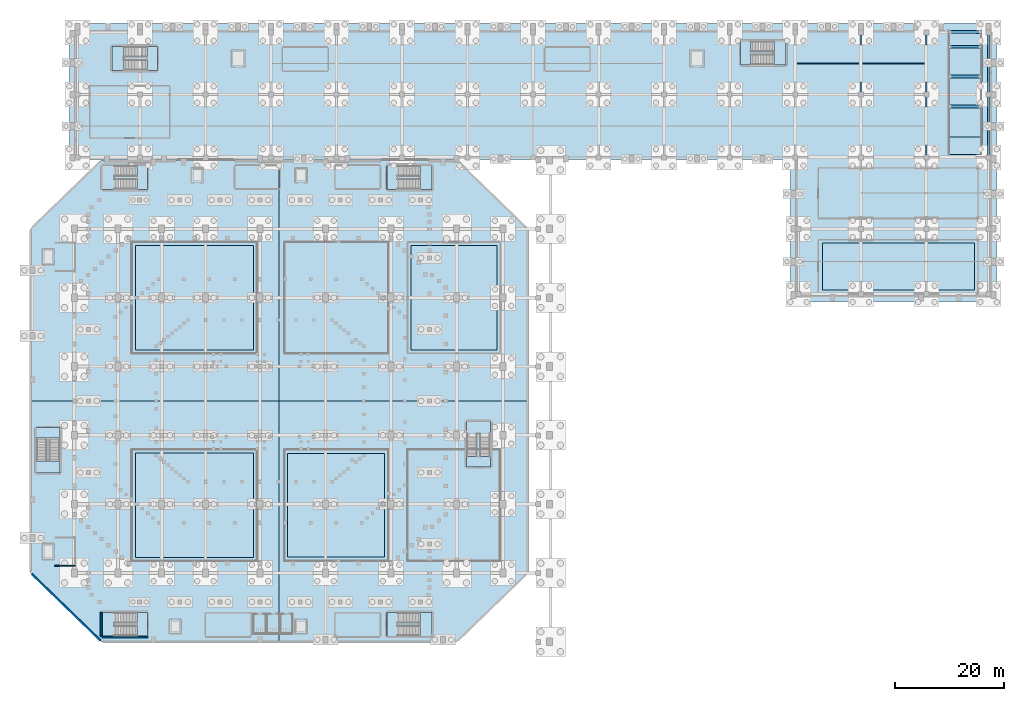
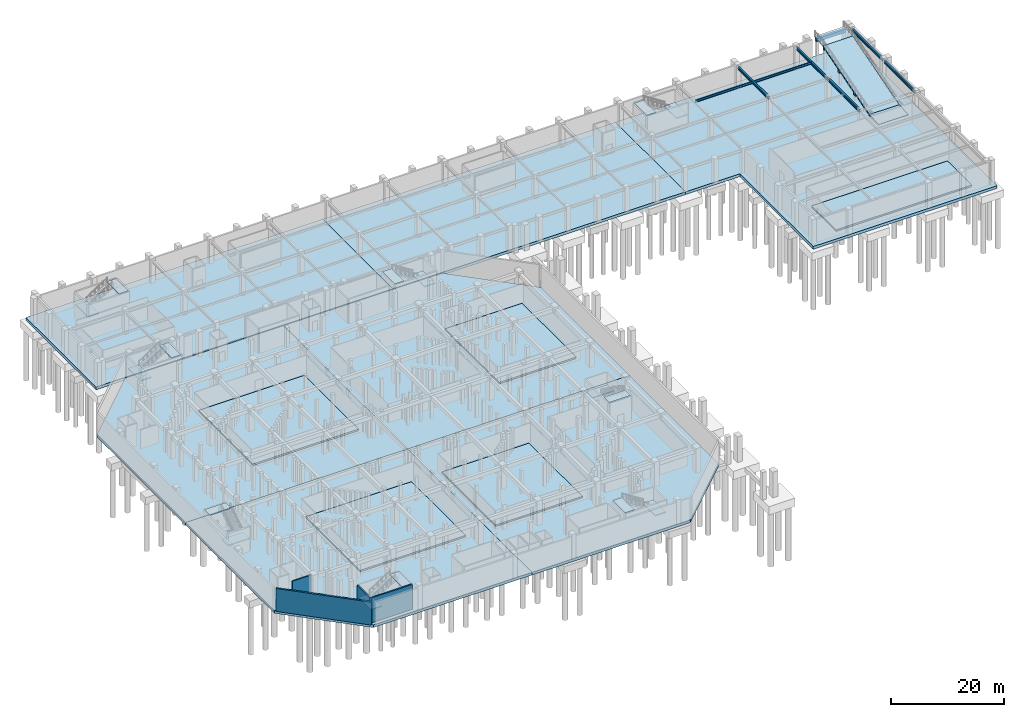
# One storey, part 13 of 27: 31 slabs, 11 beams, 4 walls, 8 elements without a shape of their own.
"""IFC4 building model written with IfcOpenShell, lengths in metres."""

from ifc_helpers import new_model, si_unit, derived_unit, direction, frame, frame_2d, origin, origin_2d, place, context, subcontext, project, spatial, polyline, rectangle, i_section, outline, extrude, material, layer, layer_set, material_profile, profile_set, type_object, element, aggregate, save


model = new_model("IFC4")

# Units and contexts
model_context = context("Model", 3, precision=1e-05, world=origin(), true_north=direction((0.0, 1.0)))
body_context = subcontext(model_context, "Body", "Model", "MODEL_VIEW")
ifc_project = project(units=[si_unit("LENGTHUNIT", "METRE"), si_unit("AREAUNIT", "SQUARE_METRE"), si_unit("VOLUMEUNIT", "CUBIC_METRE"), si_unit("PLANEANGLEUNIT", "RADIAN"), si_unit("MASSUNIT", "GRAM", prefix="KILO"), derived_unit("THERMALTRANSMITTANCEUNIT", [(si_unit("MASSUNIT", "GRAM", prefix="KILO"), 1), (si_unit("TIMEUNIT", "SECOND"), -3), (si_unit("THERMODYNAMICTEMPERATUREUNIT", "KELVIN"), -1)])], contexts=[model_context])

# Site, building, storey
site_placement = place(None, origin())
site = spatial("IfcSite", under=ifc_project, at=site_placement, CompositionType="ELEMENT")
building_placement = place(site_placement, origin())
building = spatial("IfcBuilding", under=site, at=building_placement, Name="Valcora Ridge Arena", CompositionType="ELEMENT")
storey_placement = place(building_placement, frame((0.0, 0.0, -5.39990234375)))
storey = spatial("IfcBuildingStorey", under=building, at=storey_placement, Name="B1", CompositionType="ELEMENT", Elevation=-5.39990234375)

# Beams
ifc_material_1 = material(Name="Concrete C40/50", Category="concrete")
ifc_material_profile_1 = material_profile(ifc_material_1, rectangle(XDim=0.5, YDim=0.75, at=origin_2d()), Name="RC 500x750")
ifc_profile_set_1 = profile_set([ifc_material_profile_1], Name="Concrete C40/50")
beam_type_1 = type_object("IfcBeamType", Name="TY-BEAM-B-RMP-500X750", PredefinedType="BEAM", material=ifc_profile_set_1)
for number, where, z_axis, x_axis, name in (
    (1, (184.14990234375, 118.0, 1.27490234375), (1.0, 0.0, 0.0), (0.0, 1.0, 0.0), "B-RMP-500X750 BEM-RP-B-RMP-500X750-0001"),
    (2, (184.14990234375, 123.5, 2.90478515625), (1.0, 0.0, 0.0), (0.0, 1.0, 0.0), "B-RMP-500X750 BEM-RP-B-RMP-500X750-0002"),
    (3, (184.14990234375, 128.949951171875, 4.52490234375), (1.0, 0.0, 0.0), (0.0, 1.0, 0.0), "B-RMP-500X750 BEM-RP-B-RMP-500X750-0003"),
    (4, (184.14990234375, 131.64990234375, 4.75), (1.0, 0.0, 0.0), (0.0, 1.0, 0.0), "B-RMP-500X750 BEM-RP-B-RMP-500X750-0004"),
):
    element("IfcBeam", number, at=place(storey_placement, frame(where, z_axis=z_axis, x_axis=x_axis)), inside=storey, type_object=beam_type_1, Name=name, PredefinedType="BEAM", context=body_context, shape_type="SweptSolid", body=[
        extrude(rectangle(XDim=0.5, YDim=0.75, at=origin_2d()), origin(), (0.0, 0.0, 1.0), 5.900146484375),
    ])
ifc_material_2 = material(Name="Steel ASTM A572 Grade 50", Category="steel")
ifc_material_profile_2 = material_profile(ifc_material_2, i_section(OverallWidth=0.324951171875, OverallDepth=0.612060546875, WebThickness=0.0126953125, FlangeThickness=0.01904296875, FilletRadius=0.01806640625, at=origin_2d()), Name="W24X104")
ifc_profile_set_2 = profile_set([ifc_material_profile_2], Name="Steel ASTM A572 Grade 50")
beam_type_2 = type_object("IfcBeamType", Name="TY-BEAM-BG-W24X104-Y", PredefinedType="BEAM", material=ifc_profile_set_2)
beam_1_placement = place(storey_placement, frame((168.0, 120.340087890625, 4.69384765625), z_axis=(0.0, 1.0, 0.0), x_axis=(-1.0, 0.0, 0.0)))
element("IfcBeam", 5, at=beam_1_placement, inside=storey, type_object=beam_type_2, Name="BG-W24X104-Y BEM-BG-W24X104-Y-0028", PredefinedType="BEAM", context=body_context, shape_type="SweptSolid", body=[
    extrude(i_section(OverallWidth=0.324951171875, OverallDepth=0.612060546875, WebThickness=0.0126953125, FlangeThickness=0.01904296875, FilletRadius=0.01806640625, at=origin_2d()), origin(), (0.0, 0.0, 1.0), 11.06982421875),
])
beam_2_placement = place(storey_placement, frame((180.0, 108.840087890625, 4.69384765625), z_axis=(0.0, 1.0, 0.0), x_axis=(-1.0, 0.0, 0.0)))
element("IfcBeam", 6, at=beam_2_placement, inside=storey, type_object=beam_type_2, Name="BG-W24X104-Y BEM-BG-W24X104-Y-0031", PredefinedType="BEAM", context=body_context, shape_type="SweptSolid", body=[
    extrude(i_section(OverallWidth=0.324951171875, OverallDepth=0.612060546875, WebThickness=0.0126953125, FlangeThickness=0.01904296875, FilletRadius=0.01806640625, at=origin_2d()), origin(), (0.0, 0.0, 1.0), 11.219970703125),
])
beam_3_placement = place(storey_placement, frame((180.0, 120.340087890625, 4.69384765625), z_axis=(0.0, 1.0, 0.0), x_axis=(-1.0, 0.0, 0.0)))
element("IfcBeam", 7, at=beam_3_placement, inside=storey, type_object=beam_type_2, Name="BG-W24X104-Y BEM-BG-W24X104-Y-0032", PredefinedType="BEAM", context=body_context, shape_type="SweptSolid", body=[
    extrude(i_section(OverallWidth=0.324951171875, OverallDepth=0.612060546875, WebThickness=0.0126953125, FlangeThickness=0.01904296875, FilletRadius=0.01806640625, at=origin_2d()), origin(), (0.0, 0.0, 1.0), 11.06982421875),
])
beam_4_placement = place(storey_placement, frame((191.39990234375, 108.840087890625, 4.69384765625), z_axis=(0.0, 1.0, 0.0), x_axis=(-1.0, 0.0, 0.0)))
element("IfcBeam", 8, at=beam_4_placement, inside=storey, type_object=beam_type_2, Name="BG-W24X104-Y BEM-BG-W24X104-Y-0035", PredefinedType="BEAM", context=body_context, shape_type="SweptSolid", body=[
    extrude(i_section(OverallWidth=0.324951171875, OverallDepth=0.612060546875, WebThickness=0.0126953125, FlangeThickness=0.01904296875, FilletRadius=0.01806640625, at=origin_2d()), origin(), (0.0, 0.0, 1.0), 11.219970703125),
])
beam_5_placement = place(storey_placement, frame((191.39990234375, 120.340087890625, 4.69384765625), z_axis=(0.0, 1.0, 0.0), x_axis=(-1.0, 0.0, 0.0)))
element("IfcBeam", 9, at=beam_5_placement, inside=storey, type_object=beam_type_2, Name="BG-W24X104-Y BEM-BG-W24X104-Y-0036", PredefinedType="BEAM", context=body_context, shape_type="SweptSolid", body=[
    extrude(i_section(OverallWidth=0.324951171875, OverallDepth=0.612060546875, WebThickness=0.0126953125, FlangeThickness=0.01904296875, FilletRadius=0.01806640625, at=origin_2d()), origin(), (0.0, 0.0, 1.0), 11.06982421875),
])
ifc_material_profile_3 = material_profile(ifc_material_2, i_section(OverallWidth=0.18994140625, OverallDepth=0.45703125, WebThickness=0.009033203125, FlangeThickness=0.014404296875, FilletRadius=0.014892578125, at=origin_2d()), Name="W18X50")
ifc_profile_set_3 = profile_set([ifc_material_profile_3], Name="Steel ASTM A572 Grade 50")
beam_type_3 = type_object("IfcBeamType", Name="TY-BEAM-BJ-W18X50", PredefinedType="JOIST", material=ifc_profile_set_3)
for number, where, z_axis, x_axis, name in (
    (10, (156.10009765625, 125.875, 4.771484375), (1.0, 0.0, 0.0), (0.0, 1.0, 0.0), "BJ-W18X50 BEM-BJ-W18X50-0019"),
    (11, (168.10009765625, 125.875, 4.771484375), (1.0, 0.0, 0.0), (0.0, 1.0, 0.0), "BJ-W18X50 BEM-BJ-W18X50-0024"),
):
    element("IfcBeam", number, at=place(storey_placement, frame(where, z_axis=z_axis, x_axis=x_axis)), inside=storey, type_object=beam_type_3, Name=name, PredefinedType="JOIST", context=body_context, shape_type="SweptSolid", body=[
        extrude(i_section(OverallWidth=0.18994140625, OverallDepth=0.45703125, WebThickness=0.009033203125, FlangeThickness=0.014404296875, FilletRadius=0.014892578125, at=origin_2d()), origin(), (0.0, 0.0, 1.0), 11.7998046875),
    ])

# Stair, slabs
stair_type_1 = type_object("IfcStairType", Name="TY-STAIR-ST01-54", PredefinedType="HALF_TURN_STAIR", material=ifc_material_1)
stair_1_placement = place(storey_placement, origin())
stair_1 = element("IfcStair", 12, at=stair_1_placement, inside=storey, type_object=stair_type_1, Name="ST01-54 STR-CR-0001", PredefinedType="HALF_TURN_STAIR")
ifc_layer_1 = layer(ifc_material_1, 0.199951171875, Name="Concrete C40/50")
ifc_layer_set_1 = layer_set([ifc_layer_1], Name="Concrete C40/50")
slab_type_1 = type_object("IfcSlabType", Name="TY-LAND-ST01-54", PredefinedType="LANDING", material=ifc_layer_set_1)
slab_1_placement = place(storey_placement, frame((0.0, 0.0, 2.5)))
slab_1 = element("IfcSlab", 13, at=slab_1_placement, type_object=slab_type_1, Name="ST01-54 landing 1", PredefinedType="LANDING", context=body_context, shape_type="SweptSolid", body=[
    extrude(outline(polyline([(29.08203125, 21.001953125), (31.31005859375, 21.001953125), (31.31005859375, 25.39794921875), (29.08203125, 25.39794921875), (29.08203125, 21.001953125)])), origin(), (0.0, 0.0, 1.0), 0.199951171875),
])
slab_2_placement = place(storey_placement, frame((0.0, 0.0, 5.199951171875)))
slab_2 = element("IfcSlab", 14, at=slab_2_placement, type_object=slab_type_1, Name="ST01-54 landing 2", PredefinedType="LANDING", context=body_context, shape_type="SweptSolid", body=[
    extrude(outline(polyline([(35.469970703125, 21.001953125), (37.39794921875, 21.001953125), (37.39794921875, 25.39794921875), (35.469970703125, 25.39794921875), (35.469970703125, 21.001953125)])), origin(), (0.0, 0.0, 1.0), 0.199951171875),
])
aggregate(stair_1, [slab_1, slab_2])

stair_type_2 = type_object("IfcStairType", Name="TY-STAIR-ST02-54", PredefinedType="HALF_TURN_STAIR", material=ifc_material_1)
stair_2_placement = place(storey_placement, origin())
stair_2 = element("IfcStair", 15, at=stair_2_placement, inside=storey, type_object=stair_type_2, Name="ST02-54 STR-CR-0007", PredefinedType="HALF_TURN_STAIR")
ifc_layer_2 = layer(ifc_material_1, 0.199951171875, Name="Concrete C40/50")
ifc_layer_set_2 = layer_set([ifc_layer_2], Name="Concrete C40/50")
slab_type_2 = type_object("IfcSlabType", Name="TY-LAND-ST02-54", PredefinedType="LANDING", material=ifc_layer_set_2)
slab_3_placement = place(storey_placement, frame((0.0, 0.0, 2.5)))
slab_3 = element("IfcSlab", 16, at=slab_3_placement, type_object=slab_type_2, Name="ST02-54 landing 1", PredefinedType="LANDING", context=body_context, shape_type="SweptSolid", body=[
    extrude(outline(polyline([(87.2900390625, 21.001953125), (89.51806640625, 21.001953125), (89.51806640625, 25.39794921875), (87.2900390625, 25.39794921875), (87.2900390625, 21.001953125)])), origin(), (0.0, 0.0, 1.0), 0.199951171875),
])
slab_4_placement = place(storey_placement, frame((0.0, 0.0, 5.199951171875)))
slab_4 = element("IfcSlab", 17, at=slab_4_placement, type_object=slab_type_2, Name="ST02-54 landing 2", PredefinedType="LANDING", context=body_context, shape_type="SweptSolid", body=[
    extrude(outline(polyline([(81.201904296875, 21.001953125), (83.1298828125, 21.001953125), (83.1298828125, 25.39794921875), (81.201904296875, 25.39794921875), (81.201904296875, 21.001953125)])), origin(), (0.0, 0.0, 1.0), 0.199951171875),
])
aggregate(stair_2, [slab_3, slab_4])

stair_type_3 = type_object("IfcStairType", Name="TY-STAIR-ST03-54", PredefinedType="HALF_TURN_STAIR", material=ifc_material_1)
stair_3_placement = place(storey_placement, origin())
stair_3 = element("IfcStair", 18, at=stair_3_placement, inside=storey, type_object=stair_type_3, Name="ST03-54 STR-CR-0012", PredefinedType="HALF_TURN_STAIR")
ifc_layer_3 = layer(ifc_material_1, 0.199951171875, Name="Concrete C40/50")
ifc_layer_set_3 = layer_set([ifc_layer_3], Name="Concrete C40/50")
slab_type_3 = type_object("IfcSlabType", Name="TY-LAND-ST03-54", PredefinedType="LANDING", material=ifc_layer_set_3)
slab_5_placement = place(storey_placement, frame((0.0, 0.0, 2.5)))
slab_5 = element("IfcSlab", 19, at=slab_5_placement, type_object=slab_type_3, Name="ST03-54 landing 1", PredefinedType="LANDING", context=body_context, shape_type="SweptSolid", body=[
    extrude(outline(polyline([(29.08203125, 102.802001953125), (31.31005859375, 102.802001953125), (31.31005859375, 107.197998046875), (29.08203125, 107.197998046875), (29.08203125, 102.802001953125)])), origin(), (0.0, 0.0, 1.0), 0.199951171875),
])
slab_6_placement = place(storey_placement, frame((0.0, 0.0, 5.199951171875)))
slab_6 = element("IfcSlab", 20, at=slab_6_placement, type_object=slab_type_3, Name="ST03-54 landing 2", PredefinedType="LANDING", context=body_context, shape_type="SweptSolid", body=[
    extrude(outline(polyline([(35.469970703125, 102.802001953125), (37.39794921875, 102.802001953125), (37.39794921875, 107.197998046875), (35.469970703125, 107.197998046875), (35.469970703125, 102.802001953125)])), origin(), (0.0, 0.0, 1.0), 0.199951171875),
])
aggregate(stair_3, [slab_5, slab_6])

stair_type_4 = type_object("IfcStairType", Name="TY-STAIR-ST04-54", PredefinedType="HALF_TURN_STAIR", material=ifc_material_1)
stair_4_placement = place(storey_placement, origin())
stair_4 = element("IfcStair", 21, at=stair_4_placement, inside=storey, type_object=stair_type_4, Name="ST04-54 STR-CR-0018", PredefinedType="HALF_TURN_STAIR")
ifc_layer_4 = layer(ifc_material_1, 0.199951171875, Name="Concrete C40/50")
ifc_layer_set_4 = layer_set([ifc_layer_4], Name="Concrete C40/50")
slab_type_4 = type_object("IfcSlabType", Name="TY-LAND-ST04-54", PredefinedType="LANDING", material=ifc_layer_set_4)
slab_7_placement = place(storey_placement, frame((0.0, 0.0, 2.5)))
slab_7 = element("IfcSlab", 22, at=slab_7_placement, type_object=slab_type_4, Name="ST04-54 landing 1", PredefinedType="LANDING", context=body_context, shape_type="SweptSolid", body=[
    extrude(outline(polyline([(87.2900390625, 102.802001953125), (89.51806640625, 102.802001953125), (89.51806640625, 107.197998046875), (87.2900390625, 107.197998046875), (87.2900390625, 102.802001953125)])), origin(), (0.0, 0.0, 1.0), 0.199951171875),
])
slab_8_placement = place(storey_placement, frame((0.0, 0.0, 5.199951171875)))
slab_8 = element("IfcSlab", 23, at=slab_8_placement, type_object=slab_type_4, Name="ST04-54 landing 2", PredefinedType="LANDING", context=body_context, shape_type="SweptSolid", body=[
    extrude(outline(polyline([(81.201904296875, 102.802001953125), (83.1298828125, 102.802001953125), (83.1298828125, 107.197998046875), (81.201904296875, 107.197998046875), (81.201904296875, 102.802001953125)])), origin(), (0.0, 0.0, 1.0), 0.199951171875),
])
aggregate(stair_4, [slab_7, slab_8])

stair_type_5 = type_object("IfcStairType", Name="TY-STAIR-ST05-54", PredefinedType="HALF_TURN_STAIR", material=ifc_material_1)
stair_5_placement = place(storey_placement, origin())
stair_5 = element("IfcStair", 24, at=stair_5_placement, inside=storey, type_object=stair_type_5, Name="ST05-54 STR-CR-0023", PredefinedType="HALF_TURN_STAIR")
ifc_layer_5 = layer(ifc_material_1, 0.199951171875, Name="Concrete C40/50")
ifc_layer_set_5 = layer_set([ifc_layer_5], Name="Concrete C40/50")
slab_type_5 = type_object("IfcSlabType", Name="TY-LAND-ST05-54", PredefinedType="LANDING", material=ifc_layer_set_5)
slab_9_placement = place(storey_placement, frame((0.0, 0.0, 2.5)))
slab_9 = element("IfcSlab", 25, at=slab_9_placement, type_object=slab_type_5, Name="ST05-54 landing 1", PredefinedType="LANDING", context=body_context, shape_type="SweptSolid", body=[
    extrude(outline(polyline([(17.001953125, 50.882080078125), (21.39794921875, 50.882080078125), (21.39794921875, 53.110107421875), (17.001953125, 53.110107421875), (17.001953125, 50.882080078125)])), origin(), (0.0, 0.0, 1.0), 0.199951171875),
])
slab_10_placement = place(storey_placement, frame((0.0, 0.0, 5.199951171875)))
slab_10 = element("IfcSlab", 26, at=slab_10_placement, type_object=slab_type_5, Name="ST05-54 landing 2", PredefinedType="LANDING", context=body_context, shape_type="SweptSolid", body=[
    extrude(outline(polyline([(17.001953125, 57.27001953125), (21.39794921875, 57.27001953125), (21.39794921875, 59.197998046875), (17.001953125, 59.197998046875), (17.001953125, 57.27001953125)])), origin(), (0.0, 0.0, 1.0), 0.199951171875),
])
aggregate(stair_5, [slab_9, slab_10])

stair_type_6 = type_object("IfcStairType", Name="TY-STAIR-ST06-54", PredefinedType="HALF_TURN_STAIR", material=ifc_material_1)
stair_6_placement = place(storey_placement, origin())
stair_6 = element("IfcStair", 27, at=stair_6_placement, inside=storey, type_object=stair_type_6, Name="ST06-54 STR-CR-0029", PredefinedType="HALF_TURN_STAIR")
ifc_layer_6 = layer(ifc_material_1, 0.199951171875, Name="Concrete C40/50")
ifc_layer_set_6 = layer_set([ifc_layer_6], Name="Concrete C40/50")
slab_type_6 = type_object("IfcSlabType", Name="TY-LAND-ST06-54", PredefinedType="LANDING", material=ifc_layer_set_6)
slab_11_placement = place(storey_placement, frame((0.0, 0.0, 2.5)))
slab_11 = element("IfcSlab", 28, at=slab_11_placement, type_object=slab_type_6, Name="ST06-54 landing 1", PredefinedType="LANDING", context=body_context, shape_type="SweptSolid", body=[
    extrude(outline(polyline([(95.802001953125, 58.090087890625), (100.197998046875, 58.090087890625), (100.197998046875, 60.318115234375), (95.802001953125, 60.318115234375), (95.802001953125, 58.090087890625)])), origin(), (0.0, 0.0, 1.0), 0.199951171875),
])
slab_12_placement = place(storey_placement, frame((0.0, 0.0, 5.199951171875)))
slab_12 = element("IfcSlab", 29, at=slab_12_placement, type_object=slab_type_6, Name="ST06-54 landing 2", PredefinedType="LANDING", context=body_context, shape_type="SweptSolid", body=[
    extrude(outline(polyline([(95.802001953125, 52.001953125), (100.197998046875, 52.001953125), (100.197998046875, 53.929931640625), (95.802001953125, 53.929931640625), (95.802001953125, 52.001953125)])), origin(), (0.0, 0.0, 1.0), 0.199951171875),
])
aggregate(stair_6, [slab_11, slab_12])

stair_type_7 = type_object("IfcStairType", Name="TY-STAIR-ST09-54", PredefinedType="HALF_TURN_STAIR", material=ifc_material_1)
stair_7_placement = place(storey_placement, origin())
stair_7 = element("IfcStair", 30, at=stair_7_placement, inside=storey, type_object=stair_type_7, Name="ST09-54 STR-CR-0037", PredefinedType="HALF_TURN_STAIR")
ifc_layer_7 = layer(ifc_material_1, 0.199951171875, Name="Concrete C40/50")
ifc_layer_set_7 = layer_set([ifc_layer_7], Name="Concrete C40/50")
slab_type_7 = type_object("IfcSlabType", Name="TY-LAND-ST09-54", PredefinedType="LANDING", material=ifc_layer_set_7)
slab_13_placement = place(storey_placement, frame((0.0, 0.0, 2.5)))
slab_13 = element("IfcSlab", 31, at=slab_13_placement, type_object=slab_type_7, Name="ST09-54 landing 1", PredefinedType="LANDING", context=body_context, shape_type="SweptSolid", body=[
    extrude(outline(polyline([(30.882080078125, 124.60205078125), (33.110107421875, 124.60205078125), (33.110107421875, 128.998046875), (30.882080078125, 128.998046875), (30.882080078125, 124.60205078125)])), origin(), (0.0, 0.0, 1.0), 0.199951171875),
])
slab_14_placement = place(storey_placement, frame((0.0, 0.0, 5.199951171875)))
slab_14 = element("IfcSlab", 32, at=slab_14_placement, type_object=slab_type_7, Name="ST09-54 landing 2", PredefinedType="LANDING", context=body_context, shape_type="SweptSolid", body=[
    extrude(outline(polyline([(37.27001953125, 124.60205078125), (39.197998046875, 124.60205078125), (39.197998046875, 128.998046875), (37.27001953125, 128.998046875), (37.27001953125, 124.60205078125)])), origin(), (0.0, 0.0, 1.0), 0.199951171875),
])
aggregate(stair_7, [slab_13, slab_14])

stair_type_8 = type_object("IfcStairType", Name="TY-STAIR-ST10-54", PredefinedType="HALF_TURN_STAIR", material=ifc_material_1)
stair_8_placement = place(storey_placement, origin())
stair_8 = element("IfcStair", 33, at=stair_8_placement, inside=storey, type_object=stair_type_8, Name="ST10-54 STR-CR-0041", PredefinedType="HALF_TURN_STAIR")
ifc_layer_8 = layer(ifc_material_1, 0.199951171875, Name="Concrete C40/50")
ifc_layer_set_8 = layer_set([ifc_layer_8], Name="Concrete C40/50")
slab_type_8 = type_object("IfcSlabType", Name="TY-LAND-ST10-54", PredefinedType="LANDING", material=ifc_layer_set_8)
slab_15_placement = place(storey_placement, frame((0.0, 0.0, 2.5)))
slab_15 = element("IfcSlab", 34, at=slab_15_placement, type_object=slab_type_8, Name="ST10-54 landing 1", PredefinedType="LANDING", context=body_context, shape_type="SweptSolid", body=[
    extrude(outline(polyline([(152.090087890625, 125.60205078125), (154.318115234375, 125.60205078125), (154.318115234375, 129.998046875), (152.090087890625, 129.998046875), (152.090087890625, 125.60205078125)])), origin(), (0.0, 0.0, 1.0), 0.199951171875),
])
slab_16_placement = place(storey_placement, frame((0.0, 0.0, 5.199951171875)))
slab_16 = element("IfcSlab", 35, at=slab_16_placement, type_object=slab_type_8, Name="ST10-54 landing 2", PredefinedType="LANDING", context=body_context, shape_type="SweptSolid", body=[
    extrude(outline(polyline([(146.001953125, 125.60205078125), (147.929931640625, 125.60205078125), (147.929931640625, 129.998046875), (146.001953125, 129.998046875), (146.001953125, 125.60205078125)])), origin(), (0.0, 0.0, 1.0), 0.199951171875),
])
aggregate(stair_8, [slab_15, slab_16])

# Slabs
ifc_layer_9 = layer(ifc_material_1, 0.60009765625, Name="Concrete C40/50")
ifc_layer_set_9 = layer_set([ifc_layer_9], Name="Concrete C40/50")
slab_type_9 = type_object("IfcSlabType", Name="TY-SLAB-SL-BASE-V1-NE", PredefinedType="BASESLAB", material=ifc_layer_set_9)
slab_17_placement = place(storey_placement, frame((0.0, 0.0, -0.60009765625)))
element("IfcSlab", 36, at=slab_17_placement, inside=storey, type_object=slab_type_9, Name="SL-BASE-V1-NE SLB-0002", PredefinedType="BASESLAB", context=body_context, shape_type="SweptSolid", body=[
    extrude(outline(polyline([(94.0, 108.199951171875), (61.5, 108.199951171875), (61.5, 64.10009765625), (107.0, 64.10009765625), (107.0, 95.60009765625), (94.0, 108.199951171875)])), origin(), (0.0, 0.0, 1.0), 0.60009765625),
])
ifc_layer_10 = layer(ifc_material_1, 0.60009765625, Name="Concrete C40/50")
ifc_layer_set_10 = layer_set([ifc_layer_10], Name="Concrete C40/50")
slab_type_10 = type_object("IfcSlabType", Name="TY-SLAB-SL-BASE-V1-NW", PredefinedType="BASESLAB", material=ifc_layer_set_10)
slab_18_placement = place(storey_placement, frame((0.0, 0.0, -0.60009765625)))
element("IfcSlab", 37, at=slab_18_placement, inside=storey, type_object=slab_type_10, Name="SL-BASE-V1-NW SLB-0001", PredefinedType="BASESLAB", context=body_context, shape_type="SweptSolid", body=[
    extrude(outline(polyline([(16.0, 95.60009765625), (16.0, 64.10009765625), (61.5, 64.10009765625), (61.5, 108.199951171875), (29.0, 108.199951171875), (16.0, 95.60009765625)])), origin(), (0.0, 0.0, 1.0), 0.60009765625),
])
ifc_layer_11 = layer(ifc_material_1, 0.60009765625, Name="Concrete C40/50")
ifc_layer_set_11 = layer_set([ifc_layer_11], Name="Concrete C40/50")
slab_type_11 = type_object("IfcSlabType", Name="TY-SLAB-SL-BASE-V1-SE", PredefinedType="BASESLAB", material=ifc_layer_set_11)
slab_19_placement = place(storey_placement, frame((0.0, 0.0, -0.60009765625)))
element("IfcSlab", 38, at=slab_19_placement, inside=storey, type_object=slab_type_11, Name="SL-BASE-V1-SE SLB-0004", PredefinedType="BASESLAB", context=body_context, shape_type="SweptSolid", body=[
    extrude(outline(polyline([(107.0, 32.60009765625), (107.0, 64.10009765625), (61.5, 64.10009765625), (61.5, 20.0), (94.0, 20.0), (107.0, 32.60009765625)])), origin(), (0.0, 0.0, 1.0), 0.60009765625),
])
ifc_layer_12 = layer(ifc_material_1, 0.60009765625, Name="Concrete C40/50")
ifc_layer_set_12 = layer_set([ifc_layer_12], Name="Concrete C40/50")
slab_type_12 = type_object("IfcSlabType", Name="TY-SLAB-SL-BASE-V1-SW", PredefinedType="BASESLAB", material=ifc_layer_set_12)
slab_20_placement = place(storey_placement, frame((0.0, 0.0, -0.60009765625)))
element("IfcSlab", 39, at=slab_20_placement, inside=storey, type_object=slab_type_12, Name="SL-BASE-V1-SW SLB-0003", PredefinedType="BASESLAB", context=body_context, shape_type="SweptSolid", body=[
    extrude(outline(polyline([(16.0, 32.60009765625), (29.0, 20.0), (61.5, 20.0), (61.5, 64.10009765625), (16.0, 64.10009765625), (16.0, 32.60009765625)])), origin(), (0.0, 0.0, 1.0), 0.60009765625),
])
ifc_layer_13 = layer(ifc_material_1, 0.60009765625, Name="Concrete C40/50")
ifc_layer_set_13 = layer_set([ifc_layer_13], Name="Concrete C40/50")
slab_type_13 = type_object("IfcSlabType", Name="TY-SLAB-SL-BASE-V5-C", PredefinedType="BASESLAB", material=ifc_layer_set_13)
slab_21_placement = place(storey_placement, frame((0.0, 0.0, -0.60009765625)))
element("IfcSlab", 40, at=slab_21_placement, inside=storey, type_object=slab_type_13, Name="SL-BASE-V5-C SLB-0011", PredefinedType="BASESLAB", context=body_context, shape_type="SweptSolid", body=[
    extrude(outline(polyline([(84.0, 108.35009765625), (144.0, 108.35009765625), (144.0, 133.25), (84.0, 133.25), (84.0, 108.35009765625)])), origin(), (0.0, 0.0, 1.0), 0.60009765625),
])
ifc_layer_14 = layer(ifc_material_1, 0.60009765625, Name="Concrete C40/50")
ifc_layer_set_14 = layer_set([ifc_layer_14], Name="Concrete C40/50")
slab_type_14 = type_object("IfcSlabType", Name="TY-SLAB-SL-BASE-V5-E", PredefinedType="BASESLAB", material=ifc_layer_set_14)
slab_22_placement = place(storey_placement, frame((0.0, 0.0, -0.60009765625)))
element("IfcSlab", 41, at=slab_22_placement, inside=storey, type_object=slab_type_14, Name="SL-BASE-V5-E SLB-0012", PredefinedType="BASESLAB", context=body_context, shape_type="SweptSolid", body=[
    extrude(outline(polyline([(155.14990234375, 82.35009765625), (192.85009765625, 82.35009765625), (192.85009765625, 133.25), (144.0, 133.25), (144.0, 108.35009765625), (155.14990234375, 108.35009765625), (155.14990234375, 82.35009765625)]), holes=[polyline([(190.199951171875, 112.5), (184.0, 112.5), (184.0, 109.199951171875), (190.199951171875, 109.199951171875), (190.199951171875, 112.5)])]), origin(), (0.0, 0.0, 1.0), 0.60009765625),
])
ifc_layer_15 = layer(ifc_material_1, 0.60009765625, Name="Concrete C40/50")
ifc_layer_set_15 = layer_set([ifc_layer_15], Name="Concrete C40/50")
slab_type_15 = type_object("IfcSlabType", Name="TY-SLAB-SL-BASE-V5-W", PredefinedType="BASESLAB", material=ifc_layer_set_15)
slab_23_placement = place(storey_placement, frame((0.0, 0.0, -0.60009765625)))
element("IfcSlab", 42, at=slab_23_placement, inside=storey, type_object=slab_type_15, Name="SL-BASE-V5-W SLB-0010", PredefinedType="BASESLAB", context=body_context, shape_type="SweptSolid", body=[
    extrude(outline(polyline([(23.14990234375, 108.35009765625), (84.0, 108.35009765625), (84.0, 133.25), (23.14990234375, 133.25), (23.14990234375, 108.35009765625)])), origin(), (0.0, 0.0, 1.0), 0.60009765625),
])
ifc_layer_16 = layer(ifc_material_1, 0.320068359375, Name="Concrete C40/50")
ifc_layer_set_16 = layer_set([ifc_layer_16], Name="Concrete C40/50")
slab_type_16 = type_object("IfcSlabType", Name="TY-SLAB-SL-PLINTH-B1A", PredefinedType="FLOOR", material=ifc_layer_set_16)
slab_24_placement = place(storey_placement, origin())
element("IfcSlab", 43, at=slab_24_placement, inside=storey, type_object=slab_type_16, Name="SL-PLINTH-B1A SLB-0005", PredefinedType="FLOOR", context=body_context, shape_type="SweptSolid", body=[
    extrude(outline(polyline([(63.0, 35.5), (80.800048828125, 35.5), (80.800048828125, 54.5), (63.0, 54.5), (63.0, 35.5)])), origin(), (0.0, 0.0, 1.0), 0.31982421875),
])
ifc_layer_17 = layer(ifc_material_1, 0.320068359375, Name="Concrete C40/50")
ifc_layer_set_17 = layer_set([ifc_layer_17], Name="Concrete C40/50")
slab_type_17 = type_object("IfcSlabType", Name="TY-SLAB-SL-PLINTH-B1B", PredefinedType="FLOOR", material=ifc_layer_set_17)
slab_25_placement = place(storey_placement, origin())
element("IfcSlab", 44, at=slab_25_placement, inside=storey, type_object=slab_type_17, Name="SL-PLINTH-B1B SLB-0006", PredefinedType="FLOOR", context=body_context, shape_type="SweptSolid", body=[
    extrude(outline(polyline([(161.0, 84.39990234375), (188.800048828125, 84.39990234375), (188.800048828125, 93.0), (161.0, 93.0), (161.0, 84.39990234375)])), origin(), (0.0, 0.0, 1.0), 0.31982421875),
])
ifc_layer_18 = layer(ifc_material_1, 0.320068359375, Name="Concrete C40/50")
ifc_layer_set_18 = layer_set([ifc_layer_18], Name="Concrete C40/50")
slab_type_18 = type_object("IfcSlabType", Name="TY-SLAB-SL-PLINTH-B1C", PredefinedType="FLOOR", material=ifc_layer_set_18)
slab_26_placement = place(storey_placement, origin())
element("IfcSlab", 45, at=slab_26_placement, inside=storey, type_object=slab_type_18, Name="SL-PLINTH-B1C SLB-0007", PredefinedType="FLOOR", context=body_context, shape_type="SweptSolid", body=[
    extrude(outline(polyline([(85.60009765625, 73.39990234375), (101.39990234375, 73.39990234375), (101.39990234375, 92.60009765625), (85.60009765625, 92.60009765625), (85.60009765625, 73.39990234375)])), origin(), (0.0, 0.0, 1.0), 0.31982421875),
])
ifc_layer_19 = layer(ifc_material_1, 0.320068359375, Name="Concrete C40/50")
ifc_layer_set_19 = layer_set([ifc_layer_19], Name="Concrete C40/50")
slab_type_19 = type_object("IfcSlabType", Name="TY-SLAB-SL-PLINTH-B1D", PredefinedType="FLOOR", material=ifc_layer_set_19)
slab_27_placement = place(storey_placement, origin())
element("IfcSlab", 46, at=slab_27_placement, inside=storey, type_object=slab_type_19, Name="SL-PLINTH-B1D SLB-0008", PredefinedType="FLOOR", context=body_context, shape_type="SweptSolid", body=[
    extrude(outline(polyline([(35.199951171875, 35.39990234375), (56.800048828125, 35.39990234375), (56.800048828125, 54.60009765625), (35.199951171875, 54.60009765625), (35.199951171875, 35.39990234375)])), origin(), (0.0, 0.0, 1.0), 0.31982421875),
])
ifc_layer_20 = layer(ifc_material_1, 0.320068359375, Name="Concrete C40/50")
ifc_layer_set_20 = layer_set([ifc_layer_20], Name="Concrete C40/50")
slab_type_20 = type_object("IfcSlabType", Name="TY-SLAB-SL-PLINTH-B1E", PredefinedType="FLOOR", material=ifc_layer_set_20)
slab_28_placement = place(storey_placement, origin())
element("IfcSlab", 47, at=slab_28_placement, inside=storey, type_object=slab_type_20, Name="SL-PLINTH-B1E SLB-0009", PredefinedType="FLOOR", context=body_context, shape_type="SweptSolid", body=[
    extrude(outline(polyline([(35.199951171875, 73.39990234375), (56.800048828125, 73.39990234375), (56.800048828125, 92.60009765625), (35.199951171875, 92.60009765625), (35.199951171875, 73.39990234375)])), origin(), (0.0, 0.0, 1.0), 0.31982421875),
])
ifc_material_3 = material(Name="Concrete C35/45", Category="concrete")
ifc_layer_21 = layer(ifc_material_3, 0.25, Name="Concrete C35/45")
ifc_layer_set_21 = layer_set([ifc_layer_21], Name="Concrete C35/45")
slab_type_21 = type_object("IfcSlabType", Name="TY-SLAB-SL-RAMP-C35-250", PredefinedType="FLOOR", material=ifc_layer_set_21)
slab_29_placement = place(storey_placement, frame((184.050048828125, 112.449951171875, 0.25), z_axis=(0.0, -0.284676499374, 0.958623643931), x_axis=(1.0, 0.0, 0.0)))
element("IfcSlab", 48, at=slab_29_placement, inside=storey, type_object=slab_type_21, Name="Car park vehicle ramp slab R1", PredefinedType="FLOOR", context=body_context, shape_type="SweptSolid", body=[
    extrude(outline(polyline([(0.0, 0.0), (6.099853515625, 0.0), (6.099853515625, 17.21217717136001), (0.0, 17.21217717136001), (0.0, 0.0)])), origin(), (0.0, 0.0, -1.0), 0.25),
])
ifc_layer_22 = layer(ifc_material_3, 0.25, Name="Concrete C35/45")
ifc_layer_set_22 = layer_set([ifc_layer_22], Name="Concrete C35/45")
slab_type_22 = type_object("IfcSlabType", Name="TY-SLAB-SL-RAMP-TR-250", PredefinedType="FLOOR", material=ifc_layer_set_22)
slab_30_placement = place(storey_placement, frame((184.050048828125, 109.25, 0.0), z_axis=(0.0, -0.077888848572, 0.996962049061), x_axis=(1.0, 0.0, 0.0)))
element("IfcSlab", 49, at=slab_30_placement, inside=storey, type_object=slab_type_22, Name="Car park vehicle ramp bottom transition slab R1", PredefinedType="FLOOR", context=body_context, shape_type="SweptSolid", body=[
    extrude(outline(polyline([(0.0, 0.0), (6.099853515625, 0.0), (6.099853515625, 3.2097020893510018), (0.0, 3.2097020893510018), (0.0, 0.0)])), origin(), (0.0, 0.0, -1.0), 0.25),
])
slab_31_placement = place(storey_placement, frame((184.050048828125, 128.949951171875, 5.14990234375), z_axis=(0.0, -0.083045479854, 0.996545758245), x_axis=(1.0, 0.0, 0.0)))
element("IfcSlab", 50, at=slab_31_placement, inside=storey, type_object=slab_type_22, Name="Car park vehicle ramp top transition slab R1", PredefinedType="FLOOR", context=body_context, shape_type="SweptSolid", body=[
    extrude(outline(polyline([(0.0, 0.0), (6.099853515625, 0.0), (6.099853515625, 3.010398644698074), (0.0, 3.010398644698074), (0.0, 0.0)])), origin(), (0.0, 0.0, -1.0), 0.25),
])

# Walls
ifc_material_4 = material(Name="Fire-resisting reinforced concrete enclosure C40/50 200 mm", Category="concrete")
ifc_layer_23 = layer(ifc_material_4, 0.199951171875, Name="Fire-resisting reinforced concrete enclosure C40/50 200 mm")
ifc_layer_set_23 = layer_set([ifc_layer_23], Name="Fire-resisting reinforced concrete enclosure C40/50 200 mm")
wall_type_1 = type_object("IfcWallType", Name="TY-WALL-IW-FIRE-200", PredefinedType="STANDARD", material=ifc_layer_set_23)
wall_1_placement = place(storey_placement, frame((20.39990234375, 33.89990234375, 0.0), z_axis=(0.0, 0.0, 1.0), x_axis=(1.0, 0.0, 0.0)))
element("IfcWall", 51, at=wall_1_placement, inside=storey, type_object=wall_type_1, Name="IW-FIRE-200 WAL-IN-0001", PredefinedType="STANDARD", context=body_context, shape_type="SweptSolid", body=[
    extrude(rectangle(XDim=3.800048828125, YDim=0.199951171875, at=frame_2d((1.89990234375, 0.0))), origin(), (0.0, 0.0, 1.0), 4.10986328125),
])
ifc_material_5 = material(Name="Concrete C45/55", Category="concrete")
ifc_layer_24 = layer(ifc_material_5, 0.300048828125, Name="Concrete C45/55")
ifc_layer_set_24 = layer_set([ifc_layer_24], Name="Concrete C45/55")
wall_type_2 = type_object("IfcWallType", Name="TY-WALL-SW-C300-L", PredefinedType="SHEAR", material=ifc_layer_set_24)
wall_2_placement = place(storey_placement, frame((29.080078125, 20.85009765625, 0.0), z_axis=(0.0, 0.0, 1.0), x_axis=(1.0, 0.0, 0.0)))
element("IfcWall", 52, at=wall_2_placement, inside=storey, type_object=wall_type_2, Name="SW-C300-L WAL-CR-0001", PredefinedType="SHEAR", context=body_context, shape_type="SweptSolid", body=[
    extrude(rectangle(XDim=8.31982421875, YDim=0.300048828125, at=frame_2d((4.159912109375, 0.0))), origin(), (0.0, 0.0, 1.0), 5.39990234375),
])
ifc_layer_25 = layer(ifc_material_5, 0.300048828125, Name="Concrete C45/55")
ifc_layer_set_25 = layer_set([ifc_layer_25], Name="Concrete C45/55")
wall_type_3 = type_object("IfcWallType", Name="TY-WALL-SW-C300-S", PredefinedType="SHEAR", material=ifc_layer_set_25)
wall_3_placement = place(storey_placement, frame((28.929931640625, 21.0, 0.0), z_axis=(0.0, 0.0, 1.0), x_axis=(0.0, 1.0, 0.0)))
element("IfcWall", 53, at=wall_3_placement, inside=storey, type_object=wall_type_3, Name="SW-C300-S WAL-CR-0003", PredefinedType="SHEAR", context=body_context, shape_type="SweptSolid", body=[
    extrude(rectangle(XDim=4.39990234375, YDim=0.300048828125, at=frame_2d((2.199951171875, 0.0))), origin(), (0.0, 0.0, 1.0), 5.39990234375),
])
ifc_layer_26 = layer(ifc_material_1, 0.35009765625, Name="Concrete C40/50")
ifc_layer_set_26 = layer_set([ifc_layer_26], Name="Concrete C40/50")
wall_type_4 = type_object("IfcWallType", Name="TY-WALL-SW-RET-350", PredefinedType="SOLIDWALL", material=ifc_layer_set_26)
wall_4_placement = place(storey_placement, frame((16.21533203125, 32.39111328125, 0.0), z_axis=(0.0, 0.0, 1.0), x_axis=(0.718073787682, -0.695966978703, 0.0)))
element("IfcWall", 54, at=wall_4_placement, inside=storey, type_object=wall_type_4, Name="SW-RET-350 WAL-RT-0010", PredefinedType="SOLIDWALL", context=body_context, shape_type="SweptSolid", body=[
    extrude(rectangle(XDim=17.504150390625, YDim=0.35009765625, at=frame_2d((8.751953125, 0.0))), origin(), (0.0, 0.0, 1.0), 4.9599609375),
])

save(model, "model.ifc")
